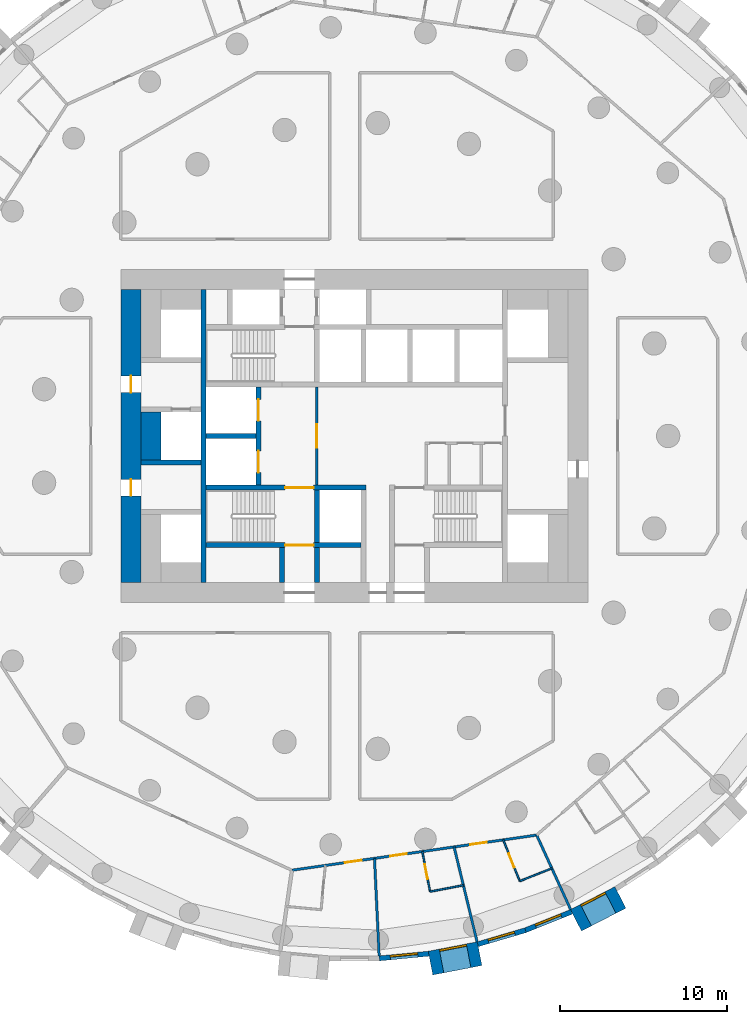
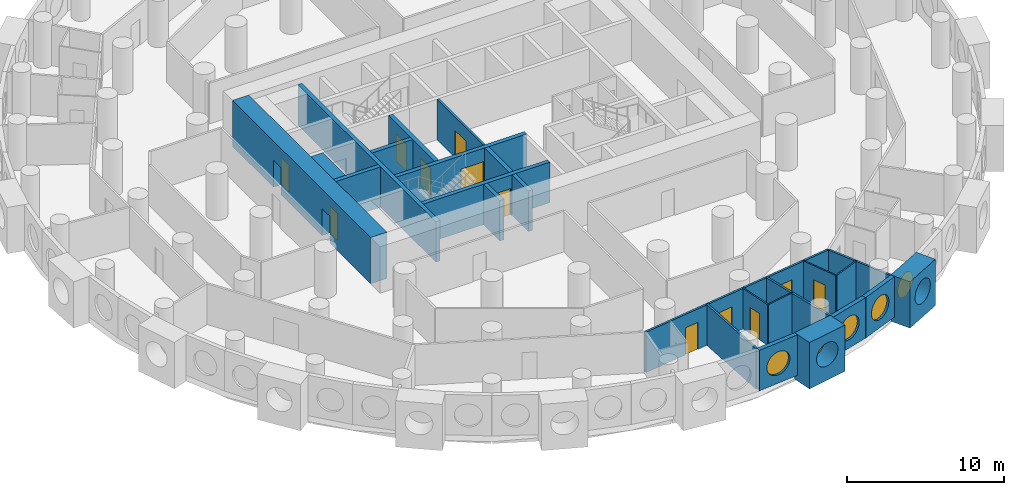
# One storey, part 4 of 11: 25 walls, 12 doors, 5 windows, 17 openings.
"""IFC4 building model written with IfcOpenShell, lengths in metres."""

from ifc_helpers import new_model, si_unit, direction, frame, frame_2d, origin, origin_2d, place, context, subcontext, project, spatial, rectangle, circle, extrude, material, layer, layer_set, type_object, element, fill, save


model = new_model("IFC4")

# Units and contexts
model_context = context("Model", 3, precision=1e-05, world=origin(), true_north=direction((0.0, 1.0)))
body_context = subcontext(model_context, "Body", "Model", "MODEL_VIEW")
ifc_project = project(units=[si_unit("LENGTHUNIT", "METRE"), si_unit("AREAUNIT", "SQUARE_METRE"), si_unit("VOLUMEUNIT", "CUBIC_METRE"), si_unit("PLANEANGLEUNIT", "RADIAN"), si_unit("MASSUNIT", "GRAM", prefix="KILO")], contexts=[model_context])

# Site, building, storey
site_placement = place(None, origin())
site = spatial("IfcSite", under=ifc_project, at=site_placement, CompositionType="ELEMENT")
building_placement = place(site_placement, origin())
building = spatial("IfcBuilding", under=site, at=building_placement, Name="Tracery Tower", CompositionType="ELEMENT")
storey_placement = place(building_placement, frame((0.0, 0.0, 93.0)))
storey = spatial("IfcBuildingStorey", under=building, at=storey_placement, Name="L23", CompositionType="ELEMENT", Elevation=93.0)

# Wall, opening, door
ifc_material_1 = material(Name="Plasterboard on steel studs", Category="steel")
ifc_layer_1 = layer(ifc_material_1, 0.14990234375)
ifc_layer_set_1 = layer_set([ifc_layer_1], Name="Core lobby partition 150")
wall_type_1 = type_object("IfcWallType", Name="Core lobby partition 150", PredefinedType="SOLIDWALL", material=ifc_layer_set_1)
wall_1_placement = place(storey_placement, frame((-2.25, -2.949951171875, 0.0), z_axis=(0.0, 0.0, 1.0), x_axis=(0.0, 1.0, 0.0)))
wall_1 = element("IfcWall", 1, at=wall_1_placement, inside=storey, type_object=wall_type_1, Name="L23 FF lobby E", PredefinedType="SOLIDWALL", context=body_context, shape_type="SweptSolid", body=[
    extrude(rectangle(XDim=5.89990234375, YDim=0.14990234375, at=frame_2d((2.949951171875, 0.0))), origin(), (0.0, 0.0, 1.0), 3.14990234375),
])
opening_1_placement = place(wall_1_placement, frame((2.25, 0.0, 0.0)))
opening_1 = element("IfcOpeningElement", 2, at=opening_1_placement, cuts=wall_1, Name="Opening KD8", PredefinedType="OPENING", context=body_context, shape_type="SweptSolid", body=[
    extrude(rectangle(XDim=1.39990234375, YDim=2.10009765625, at=frame_2d((0.699951171875, 1.050048828125))), frame((0.0, 0.074951171875, 0.0), z_axis=(0.0, -1.0, 0.0), x_axis=(1.0, 0.0, 0.0)), (0.0, 0.0, 1.0), 0.14990234375),
])
ifc_material_2 = material(Name="Steel fire door", Category="steel")
door_type_1 = type_object("IfcDoorType", Name="Core lobby door 1400 double", OperationType="NOTDEFINED", PredefinedType="DOOR", material=ifc_material_2)
door_1_placement = place(opening_1_placement, origin())
door_1 = element("IfcDoor", 3, at=door_1_placement, inside=storey, type_object=door_type_1, Name="Fire-fighting lobby door", OperationType="DOUBLE_DOOR_SINGLE_SWING", OverallHeight=2.10009765625, OverallWidth=1.39990234375, PredefinedType="DOOR", context=body_context, shape_type="SweptSolid", body=[
    extrude(rectangle(XDim=1.39990234375, YDim=2.10009765625, at=frame_2d((0.699951171875, 1.050048828125))), frame((0.0, 0.02490234375, 0.0), z_axis=(0.0, -1.0, 0.0), x_axis=(1.0, 0.0, 0.0)), (0.0, 0.0, 1.0), 0.050048828125),
])
fill(opening_1, door_1)

# Wall
ifc_material_3 = material(Name="Concrete C60/75", Category="concrete")
ifc_layer_2 = layer(ifc_material_3, 1.199951171875)
ifc_layer_set_2 = layer_set([ifc_layer_2], Name="Core strip wall 1200 C60")
wall_type_2 = type_object("IfcWallType", Name="Core strip wall 1200 C60", PredefinedType="SOLIDWALL", material=ifc_layer_set_2)
wall_2_placement = place(storey_placement, frame((-12.199951171875, -1.449951171875, 0.0), z_axis=(0.0, 0.0, 1.0), x_axis=(0.0, 1.0, 0.0)))
element("IfcWall", 4, at=wall_2_placement, inside=storey, type_object=wall_type_2, Name="L23 wing strip -1 -1.6", PredefinedType="SOLIDWALL", context=body_context, shape_type="SweptSolid", body=[
    extrude(rectangle(XDim=2.89990234375, YDim=1.199951171875, at=frame_2d((1.449951171875, 0.0))), origin(), (0.0, 0.0, 1.0), 3.14990234375),
])

# Wall, openings, doors
ifc_material_4 = material(Name="Concrete C60/75", Category="concrete")
ifc_layer_3 = layer(ifc_material_4, 1.199951171875)
ifc_layer_set_3 = layer_set([ifc_layer_3], Name="Core wall 1200 C60")
wall_type_3 = type_object("IfcWallType", Name="Core wall 1200 C60", PredefinedType="SOLIDWALL", material=ifc_layer_set_3)
wall_3_placement = place(storey_placement, frame((-13.39990234375, -8.800048828125, 0.0), z_axis=(0.0, 0.0, 1.0), x_axis=(0.0, 1.0, 0.0)))
wall_3 = element("IfcWall", 5, at=wall_3_placement, inside=storey, type_object=wall_type_3, Name="L23 outer W", PredefinedType="SOLIDWALL", context=body_context, shape_type="SweptSolid", body=[
    extrude(rectangle(XDim=17.60009765625, YDim=1.199951171875, at=frame_2d((8.800048828125, 0.0))), origin(), (0.0, 0.0, 1.0), 3.60009765625),
])
opening_2_placement = place(wall_3_placement, frame((5.199951171875, 0.0, 0.0)))
opening_2 = element("IfcOpeningElement", 6, at=opening_2_placement, cuts=wall_3, Name="Opening KD18", PredefinedType="OPENING", context=body_context, shape_type="SweptSolid", body=[
    extrude(rectangle(XDim=1.0, YDim=2.10009765625, at=frame_2d((0.5, 1.050048828125))), frame((0.0, 0.60009765625, 0.0), z_axis=(0.0, -1.0, 0.0), x_axis=(1.0, 0.0, 0.0)), (0.0, 0.0, 1.0), 1.199951171875),
])
opening_3_placement = place(wall_3_placement, frame((11.39990234375, 0.0, 0.0)))
opening_3 = element("IfcOpeningElement", 7, at=opening_3_placement, cuts=wall_3, Name="Opening KD18", PredefinedType="OPENING", context=body_context, shape_type="SweptSolid", body=[
    extrude(rectangle(XDim=1.0, YDim=2.10009765625, at=frame_2d((0.5, 1.050048828125))), frame((0.0, 0.60009765625, 0.0), z_axis=(0.0, -1.0, 0.0), x_axis=(1.0, 0.0, 0.0)), (0.0, 0.0, 1.0), 1.199951171875),
])
ifc_material_5 = material(Name="Steel fire door", Category="steel")
door_type_2 = type_object("IfcDoorType", Name="Core exit door 1000", OperationType="NOTDEFINED", PredefinedType="DOOR", material=ifc_material_5)
door_2_placement = place(opening_2_placement, origin())
door_2 = element("IfcDoor", 8, at=door_2_placement, inside=storey, type_object=door_type_2, Name="Core exit door", OperationType="DOUBLE_DOOR_SINGLE_SWING", OverallHeight=2.10009765625, OverallWidth=1.0, PredefinedType="DOOR", context=body_context, shape_type="SweptSolid", body=[
    extrude(rectangle(XDim=1.0, YDim=2.10009765625, at=frame_2d((0.5, 1.050048828125))), frame((0.0, 0.02490234375, 0.0), z_axis=(0.0, -1.0, 0.0), x_axis=(1.0, 0.0, 0.0)), (0.0, 0.0, 1.0), 0.050048828125),
])
fill(opening_2, door_2)
door_3_placement = place(opening_3_placement, origin())
door_3 = element("IfcDoor", 9, at=door_3_placement, inside=storey, type_object=door_type_2, Name="Core exit door", OperationType="DOUBLE_DOOR_SINGLE_SWING", OverallHeight=2.10009765625, OverallWidth=1.0, PredefinedType="DOOR", context=body_context, shape_type="SweptSolid", body=[
    extrude(rectangle(XDim=1.0, YDim=2.10009765625, at=frame_2d((0.5, 1.050048828125))), frame((0.0, 0.02490234375, 0.0), z_axis=(0.0, -1.0, 0.0), x_axis=(1.0, 0.0, 0.0)), (0.0, 0.0, 1.0), 0.050048828125),
])
fill(opening_3, door_3)

# Wall, opening, window
ifc_material_6 = material(Name="Precast concrete C50/60", Category="concrete")
ifc_layer_4 = layer(ifc_material_6, 1.449951171875)
ifc_layer_set_4 = layer_set([ifc_layer_4], Name="Deep-set bay unit 3000 x 3600, slab edge 450")
wall_type_4 = type_object("IfcWallType", Name="Deep-set bay unit 3000 x 3600, slab edge 450", PredefinedType="ELEMENTEDWALL", material=ifc_layer_set_4)
wall_4_placement = place(storey_placement, frame((4.56689453125, -31.62109375, -0.449951171875), z_axis=(0.0, 0.0, 1.0), x_axis=(0.981921602273, 0.189288052949, 0.0)))
wall_4 = element("IfcWall", 10, at=wall_4_placement, inside=storey, type_object=wall_type_4, Name="Deep-set bay unit 52 at L23", PredefinedType="ELEMENTEDWALL", context=body_context, shape_type="SweptSolid", body=[
    extrude(rectangle(XDim=3.0, YDim=1.449951171875, at=frame_2d((1.5, 0.0))), origin(), (0.0, 0.0, 1.0), 3.599853515625),
])
opening_4_placement = place(wall_4_placement, frame((1.5, 0.0, 2.0)))
opening_4 = element("IfcOpeningElement", 11, at=opening_4_placement, cuts=wall_4, Name="Opening WN1", PredefinedType="OPENING", context=body_context, shape_type="SweptSolid", body=[
    extrude(circle(Radius=0.9000244140625, at=origin_2d()), frame((0.0, 0.73486328125, 0.0), z_axis=(0.0, -1.0, 0.0), x_axis=(1.0, 0.0, 0.0)), (0.0, 0.0, 1.0), 1.469970703125),
])
ifc_material_7 = material(Name="Aluminium frame with tinted double glazing", Category="aluminium")
window_type = type_object("IfcWindowType", Name="Round window 1800", PartitioningType="SINGLE_PANEL", PredefinedType="WINDOW", material=ifc_material_7)
window_1_placement = place(opening_4_placement, origin())
window_1 = element("IfcWindow", 12, at=window_1_placement, inside=storey, type_object=window_type, Name="Round window 52 at L23", OverallHeight=1.800048828125, OverallWidth=1.800048828125, PartitioningType="SINGLE_PANEL", PredefinedType="WINDOW", context=body_context, shape_type="SweptSolid", body=[
    extrude(circle(Radius=0.9000244140625, at=origin_2d()), frame((0.0, 0.69482421875, 0.0), z_axis=(0.0, -1.0, 0.0), x_axis=(1.0, 0.0, 0.0)), (0.0, 0.0, 1.0), 0.10009765625),
])
fill(opening_4, window_1)

wall_5_placement = place(storey_placement, frame((13.29052734375, -29.053466796875, -0.449951171875), z_axis=(0.0, 0.0, 1.0), x_axis=(0.888858064689, 0.458182650083, 0.0)))
wall_5 = element("IfcWall", 13, at=wall_5_placement, inside=storey, type_object=wall_type_4, Name="Deep-set bay unit 55 at L23", PredefinedType="ELEMENTEDWALL", context=body_context, shape_type="SweptSolid", body=[
    extrude(rectangle(XDim=3.0, YDim=1.449951171875, at=frame_2d((1.5, 0.0))), origin(), (0.0, 0.0, 1.0), 3.599853515625),
])
opening_5_placement = place(wall_5_placement, frame((1.5, 0.0, 2.0)))
opening_5 = element("IfcOpeningElement", 14, at=opening_5_placement, cuts=wall_5, Name="Opening WN1", PredefinedType="OPENING", context=body_context, shape_type="SweptSolid", body=[
    extrude(circle(Radius=0.9000244140625, at=origin_2d()), frame((0.0, 0.73486328125, 0.0), z_axis=(0.0, -1.0, 0.0), x_axis=(1.0, 0.0, 0.0)), (0.0, 0.0, 1.0), 1.469970703125),
])
window_2_placement = place(opening_5_placement, origin())
window_2 = element("IfcWindow", 15, at=window_2_placement, inside=storey, type_object=window_type, Name="Round window 55 at L23", OverallHeight=1.800048828125, OverallWidth=1.800048828125, PartitioningType="SINGLE_PANEL", PredefinedType="WINDOW", context=body_context, shape_type="SweptSolid", body=[
    extrude(circle(Radius=0.9000244140625, at=origin_2d()), frame((0.0, 0.69482421875, 0.0), z_axis=(0.0, -1.0, 0.0), x_axis=(1.0, 0.0, 0.0)), (0.0, 0.0, 1.0), 0.10009765625),
])
fill(opening_5, window_2)

ifc_material_8 = material(Name="Precast concrete C50/60", Category="concrete")
ifc_layer_5 = layer(ifc_material_8, 0.300048828125)
ifc_layer_set_5 = layer_set([ifc_layer_5], Name="Facade panel 3000 x 3150")
wall_type_5 = type_object("IfcWallType", Name="Facade panel 3000 x 3150", PredefinedType="SOLIDWALL", material=ifc_layer_set_5)
wall_6_placement = place(storey_placement, frame((1.492919921875, -31.3388671875, 0.0), z_axis=(0.0, 0.0, 1.0), x_axis=(0.995472611385, 0.095048829468, 0.0)))
wall_6 = element("IfcWall", 16, at=wall_6_placement, inside=storey, type_object=wall_type_5, Name="Facade panel 51 at L23", PredefinedType="SOLIDWALL", context=body_context, shape_type="SweptSolid", body=[
    extrude(rectangle(XDim=2.9794921875, YDim=0.300048828125, at=frame_2d((1.48974609375, 0.0))), origin(), (0.0, 0.0, 1.0), 3.14990234375),
])
opening_6_placement = place(wall_6_placement, frame((1.48974609375, 0.0, 1.5498046875)))
opening_6 = element("IfcOpeningElement", 17, at=opening_6_placement, cuts=wall_6, Name="Opening WN1", PredefinedType="OPENING", context=body_context, shape_type="SweptSolid", body=[
    extrude(circle(Radius=0.9000244140625, at=origin_2d()), frame((0.0, 0.159912109375, 0.0), z_axis=(0.0, -1.0, 0.0), x_axis=(1.0, 0.0, 0.0)), (0.0, 0.0, 1.0), 0.320068359375),
])
window_3_placement = place(opening_6_placement, origin())
window_3 = element("IfcWindow", 18, at=window_3_placement, inside=storey, type_object=window_type, Name="Round window 51 at L23", OverallHeight=1.800048828125, OverallWidth=1.800048828125, PartitioningType="SINGLE_PANEL", PredefinedType="WINDOW", context=body_context, shape_type="SweptSolid", body=[
    extrude(circle(Radius=0.9000244140625, at=origin_2d()), frame((0.0, 0.1201171875, 0.0), z_axis=(0.0, -1.0, 0.0), x_axis=(1.0, 0.0, 0.0)), (0.0, 0.0, 1.0), 0.10009765625),
])
fill(opening_6, window_3)

wall_7_placement = place(storey_placement, frame((7.402587890625, -30.48828125, 0.0), z_axis=(0.0, 0.0, 1.0), x_axis=(0.959501085144, 0.281704930036, 0.0)))
wall_7 = element("IfcWall", 19, at=wall_7_placement, inside=storey, type_object=wall_type_5, Name="Facade panel 53 at L23", PredefinedType="SOLIDWALL", context=body_context, shape_type="SweptSolid", body=[
    extrude(rectangle(XDim=2.9794921875, YDim=0.300048828125, at=frame_2d((1.48974609375, 0.0))), origin(), (0.0, 0.0, 1.0), 3.14990234375),
])
opening_7_placement = place(wall_7_placement, frame((1.48974609375, 0.0, 1.5498046875)))
opening_7 = element("IfcOpeningElement", 20, at=opening_7_placement, cuts=wall_7, Name="Opening WN1", PredefinedType="OPENING", context=body_context, shape_type="SweptSolid", body=[
    extrude(circle(Radius=0.9000244140625, at=origin_2d()), frame((0.0, 0.159912109375, 0.0), z_axis=(0.0, -1.0, 0.0), x_axis=(1.0, 0.0, 0.0)), (0.0, 0.0, 1.0), 0.320068359375),
])
window_4_placement = place(opening_7_placement, origin())
window_4 = element("IfcWindow", 21, at=window_4_placement, inside=storey, type_object=window_type, Name="Round window 53 at L23", OverallHeight=1.800048828125, OverallWidth=1.800048828125, PartitioningType="SINGLE_PANEL", PredefinedType="WINDOW", context=body_context, shape_type="SweptSolid", body=[
    extrude(circle(Radius=0.9000244140625, at=origin_2d()), frame((0.0, 0.1201171875, 0.0), z_axis=(0.0, -1.0, 0.0), x_axis=(1.0, 0.0, 0.0)), (0.0, 0.0, 1.0), 0.10009765625),
])
fill(opening_7, window_4)

wall_8_placement = place(storey_placement, frame((10.261474609375, -29.64892578125, 0.0), z_axis=(0.0, 0.0, 1.0), x_axis=(0.928374947, 0.371644935098, 0.0)))
wall_8 = element("IfcWall", 22, at=wall_8_placement, inside=storey, type_object=wall_type_5, Name="Facade panel 54 at L23", PredefinedType="SOLIDWALL", context=body_context, shape_type="SweptSolid", body=[
    extrude(rectangle(XDim=2.979736328125, YDim=0.300048828125, at=frame_2d((1.48974609375, 0.0))), origin(), (0.0, 0.0, 1.0), 3.14990234375),
])
opening_8_placement = place(wall_8_placement, frame((1.48974609375, 0.0, 1.5498046875)))
opening_8 = element("IfcOpeningElement", 23, at=opening_8_placement, cuts=wall_8, Name="Opening WN1", PredefinedType="OPENING", context=body_context, shape_type="SweptSolid", body=[
    extrude(circle(Radius=0.9000244140625, at=origin_2d()), frame((0.0, 0.159912109375, 0.0), z_axis=(0.0, -1.0, 0.0), x_axis=(1.0, 0.0, 0.0)), (0.0, 0.0, 1.0), 0.320068359375),
])
window_5_placement = place(opening_8_placement, origin())
window_5 = element("IfcWindow", 24, at=window_5_placement, inside=storey, type_object=window_type, Name="Round window 54 at L23", OverallHeight=1.800048828125, OverallWidth=1.800048828125, PartitioningType="SINGLE_PANEL", PredefinedType="WINDOW", context=body_context, shape_type="SweptSolid", body=[
    extrude(circle(Radius=0.9000244140625, at=origin_2d()), frame((0.0, 0.1201171875, 0.0), z_axis=(0.0, -1.0, 0.0), x_axis=(1.0, 0.0, 0.0)), (0.0, 0.0, 1.0), 0.10009765625),
])
fill(opening_8, window_5)

# Wall, opening, door
ifc_material_9 = material(Name="Plasterboard on steel studs", Category="steel")
ifc_layer_6 = layer(ifc_material_9, 0.10009765625)
ifc_layer_set_6 = layer_set([ifc_layer_6], Name="Partition 100 wet wall")
wall_type_6 = type_object("IfcWallType", Name="Partition 100 wet wall", PredefinedType="PARTITIONING", material=ifc_layer_set_6)
wall_9_placement = place(storey_placement, frame((4.076904296875, -24.926025390625, 0.0), z_axis=(0.0, 0.0, 1.0), x_axis=(0.18925724964, -0.981927539821, 0.0)))
wall_9 = element("IfcWall", 25, at=wall_9_placement, inside=storey, type_object=wall_type_6, Name="Wet wall RA7-076", PredefinedType="PARTITIONING", context=body_context, shape_type="SweptSolid", body=[
    extrude(rectangle(XDim=2.452392578125, YDim=0.10009765625, at=frame_2d((1.22607421875, 0.0))), origin(), (0.0, 0.0, 1.0), 3.14990234375),
])
opening_9_placement = place(wall_9_placement, frame((0.77587890625, 0.0, 0.0)))
opening_9 = element("IfcOpeningElement", 26, at=opening_9_placement, cuts=wall_9, Name="Opening RA7-29", PredefinedType="OPENING", context=body_context, shape_type="SweptSolid", body=[
    extrude(rectangle(XDim=0.89990234375, YDim=2.0400390625, at=frame_2d((0.449951171875, 1.02001953125))), frame((0.0, 0.050048828125, 0.0), z_axis=(0.0, -1.0, 0.0), x_axis=(1.0, 0.0, 0.0)), (0.0, 0.0, 1.0), 0.10009765625),
])
ifc_material_10 = material(Name="Timber door leaf", Category="wood")
door_type_3 = type_object("IfcDoorType", Name="Door en-suite 900", OperationType="NOTDEFINED", PredefinedType="DOOR", material=ifc_material_10)
door_4_placement = place(opening_9_placement, origin())
door_4 = element("IfcDoor", 27, at=door_4_placement, inside=storey, type_object=door_type_3, Name="En-suite door RA7-29", OperationType="SINGLE_SWING_LEFT", OverallHeight=2.0400390625, OverallWidth=0.89990234375, PredefinedType="DOOR", context=body_context, shape_type="SweptSolid", body=[
    extrude(rectangle(XDim=0.89990234375, YDim=2.0400390625, at=frame_2d((0.449951171875, 1.02001953125))), frame((0.0, 0.02490234375, 0.0), z_axis=(0.0, -1.0, 0.0), x_axis=(1.0, 0.0, 0.0)), (0.0, 0.0, 1.0), 0.050048828125),
])
fill(opening_9, door_4)

# Wall
wall_10_placement = place(storey_placement, frame((4.541015625, -27.333984375, 0.0), z_axis=(0.0, 0.0, 1.0), x_axis=(0.981919009751, 0.189301501024, 0.0)))
element("IfcWall", 28, at=wall_10_placement, inside=storey, type_object=wall_type_6, Name="Wet wall RA7-077", PredefinedType="PARTITIONING", context=body_context, shape_type="SweptSolid", body=[
    extrude(rectangle(XDim=2.033935546875, YDim=0.10009765625, at=frame_2d((1.01708984375, 0.0))), origin(), (0.0, 0.0, 1.0), 3.14990234375),
])

# Wall, opening, door
wall_11_placement = place(storey_placement, frame((8.929931640625, -24.22802734375, 0.0), z_axis=(0.0, 0.0, 1.0), x_axis=(0.371564281805, -0.928407229876, 0.0)))
wall_11 = element("IfcWall", 29, at=wall_11_placement, inside=storey, type_object=wall_type_6, Name="Wet wall RA7-079", PredefinedType="PARTITIONING", context=body_context, shape_type="SweptSolid", body=[
    extrude(rectangle(XDim=2.6669921875, YDim=0.10009765625, at=frame_2d((1.33349609375, 0.0))), origin(), (0.0, 0.0, 1.0), 3.14990234375),
])
opening_10_placement = place(wall_11_placement, frame((0.883056640625, 0.0, 0.0)))
opening_10 = element("IfcOpeningElement", 30, at=opening_10_placement, cuts=wall_11, Name="Opening RA7-31", PredefinedType="OPENING", context=body_context, shape_type="SweptSolid", body=[
    extrude(rectangle(XDim=0.89990234375, YDim=2.0400390625, at=frame_2d((0.449951171875, 1.02001953125))), frame((0.0, 0.050048828125, 0.0), z_axis=(0.0, -1.0, 0.0), x_axis=(1.0, 0.0, 0.0)), (0.0, 0.0, 1.0), 0.10009765625),
])
door_5_placement = place(opening_10_placement, origin())
door_5 = element("IfcDoor", 31, at=door_5_placement, inside=storey, type_object=door_type_3, Name="En-suite door RA7-31", OperationType="SINGLE_SWING_LEFT", OverallHeight=2.0400390625, OverallWidth=0.89990234375, PredefinedType="DOOR", context=body_context, shape_type="SweptSolid", body=[
    extrude(rectangle(XDim=0.89990234375, YDim=2.0400390625, at=frame_2d((0.449951171875, 1.02001953125))), frame((0.0, 0.02490234375, 0.0), z_axis=(0.0, -1.0, 0.0), x_axis=(1.0, 0.0, 0.0)), (0.0, 0.0, 1.0), 0.050048828125),
])
fill(opening_10, door_5)

# Walls
wall_12_placement = place(storey_placement, frame((9.9208984375, -26.7041015625, 0.0), z_axis=(0.0, 0.0, 1.0), x_axis=(0.928346586681, 0.37171577179, 0.0)))
element("IfcWall", 32, at=wall_12_placement, inside=storey, type_object=wall_type_6, Name="Wet wall RA7-080", PredefinedType="PARTITIONING", context=body_context, shape_type="SweptSolid", body=[
    extrude(rectangle(XDim=2.071533203125, YDim=0.10009765625, at=frame_2d((1.03564453125, 0.0))), origin(), (0.0, 0.0, 1.0), 3.14990234375),
])
ifc_material_11 = material(Name="Plasterboard on steel studs", Category="steel")
ifc_layer_7 = layer(ifc_material_11, 0.14990234375)
ifc_layer_set_7 = layer_set([ifc_layer_7], Name="Partition 150 acoustic unit wall")
wall_type_7 = type_object("IfcWallType", Name="Partition 150 acoustic unit wall", PredefinedType="PARTITIONING", material=ifc_layer_set_7)
wall_13_placement = place(storey_placement, frame((1.20703125, -25.339111328125, 0.0), z_axis=(0.0, 0.0, 1.0), x_axis=(0.047648334785, -0.998864173045, 0.0)))
element("IfcWall", 33, at=wall_13_placement, inside=storey, type_object=wall_type_7, Name="Unit wall RA7-075", PredefinedType="PARTITIONING", context=body_context, shape_type="SweptSolid", body=[
    extrude(rectangle(XDim=5.8564453125, YDim=0.14990234375, at=frame_2d((2.92822265625, 0.0))), origin(), (0.0, 0.0, 1.0), 3.14990234375),
])
wall_14_placement = place(storey_placement, frame((5.981201171875, -24.652099609375, 0.0), z_axis=(0.0, 0.0, 1.0), x_axis=(0.235604797906, -0.971848948759, 0.0)))
element("IfcWall", 34, at=wall_14_placement, inside=storey, type_object=wall_type_7, Name="Unit wall RA7-078", PredefinedType="PARTITIONING", context=body_context, shape_type="SweptSolid", body=[
    extrude(rectangle(XDim=5.856689453125, YDim=0.14990234375, at=frame_2d((2.92822265625, 0.0))), origin(), (0.0, 0.0, 1.0), 3.14990234375),
])
wall_15_placement = place(storey_placement, frame((10.93359375, -23.939697265625, 0.0), z_axis=(0.0, 0.0, 1.0), x_axis=(0.415245800153, -0.909709253254, 0.0)))
element("IfcWall", 35, at=wall_15_placement, inside=storey, type_object=wall_type_7, Name="Unit wall RA7-081", PredefinedType="PARTITIONING", context=body_context, shape_type="SweptSolid", body=[
    extrude(rectangle(XDim=4.906494140625, YDim=0.14990234375, at=frame_2d((2.453125, 0.0))), origin(), (0.0, 0.0, 1.0), 3.14990234375),
])

# Wall, openings, doors
ifc_material_12 = material(Name="Plasterboard on steel studs", Category="steel")
ifc_layer_8 = layer(ifc_material_12, 0.14990234375)
ifc_layer_set_8 = layer_set([ifc_layer_8], Name="Partition 150 corridor wall")
wall_type_8 = type_object("IfcWallType", Name="Partition 150 corridor wall", PredefinedType="PARTITIONING", material=ifc_layer_set_8)
wall_16_placement = place(storey_placement, frame((-3.74609375, -26.05029296875, 0.0), z_axis=(0.0, 0.0, 1.0), x_axis=(0.98983491963, 0.142221066938, 0.0)))
wall_16 = element("IfcWall", 36, at=wall_16_placement, inside=storey, type_object=wall_type_8, Name="Corridor wall RA7-044", PredefinedType="PARTITIONING", context=body_context, shape_type="SweptSolid", body=[
    extrude(rectangle(XDim=14.829833984375, YDim=0.14990234375, at=frame_2d((7.4150390625, 0.0))), origin(), (0.0, 0.0, 1.0), 3.14990234375),
])
opening_11_placement = place(wall_16_placement, frame((3.214111328125, 0.0, 0.0)))
opening_11 = element("IfcOpeningElement", 37, at=opening_11_placement, cuts=wall_16, Name="Opening RA7-28", PredefinedType="OPENING", context=body_context, shape_type="SweptSolid", body=[
    extrude(rectangle(XDim=1.0, YDim=2.10009765625, at=frame_2d((0.5, 1.050048828125))), frame((0.0, 0.074951171875, 0.0), z_axis=(0.0, -1.0, 0.0), x_axis=(1.0, 0.0, 0.0)), (0.0, 0.0, 1.0), 0.14990234375),
])
opening_12_placement = place(wall_16_placement, frame((5.95361328125, 0.0, 0.0)))
opening_12 = element("IfcOpeningElement", 38, at=opening_12_placement, cuts=wall_16, Name="Opening RA7-30", PredefinedType="OPENING", context=body_context, shape_type="SweptSolid", body=[
    extrude(rectangle(XDim=1.0, YDim=2.10009765625, at=frame_2d((0.5, 1.050048828125))), frame((0.0, 0.074951171875, 0.0), z_axis=(0.0, -1.0, 0.0), x_axis=(1.0, 0.0, 0.0)), (0.0, 0.0, 1.0), 0.14990234375),
])
opening_13_placement = place(wall_16_placement, frame((10.81640625, 0.0, 0.0)))
opening_13 = element("IfcOpeningElement", 39, at=opening_13_placement, cuts=wall_16, Name="Opening RA7-32", PredefinedType="OPENING", context=body_context, shape_type="SweptSolid", body=[
    extrude(rectangle(XDim=1.0, YDim=2.10009765625, at=frame_2d((0.5, 1.050048828125))), frame((0.0, 0.074951171875, 0.0), z_axis=(0.0, -1.0, 0.0), x_axis=(1.0, 0.0, 0.0)), (0.0, 0.0, 1.0), 0.14990234375),
])
ifc_material_13 = material(Name="Timber door leaf", Category="wood")
door_type_4 = type_object("IfcDoorType", Name="Door unit entrance 1000", OperationType="NOTDEFINED", PredefinedType="DOOR", material=ifc_material_13)
door_6_placement = place(opening_11_placement, origin())
door_6 = element("IfcDoor", 40, at=door_6_placement, inside=storey, type_object=door_type_4, Name="Unit entrance door RA7-28", OperationType="SINGLE_SWING_LEFT", OverallHeight=2.10009765625, OverallWidth=1.0, PredefinedType="DOOR", context=body_context, shape_type="SweptSolid", body=[
    extrude(rectangle(XDim=1.0, YDim=2.10009765625, at=frame_2d((0.5, 1.050048828125))), frame((0.0, 0.02490234375, 0.0), z_axis=(0.0, -1.0, 0.0), x_axis=(1.0, 0.0, 0.0)), (0.0, 0.0, 1.0), 0.050048828125),
])
fill(opening_11, door_6)
door_7_placement = place(opening_12_placement, origin())
door_7 = element("IfcDoor", 41, at=door_7_placement, inside=storey, type_object=door_type_4, Name="Unit entrance door RA7-30", OperationType="SINGLE_SWING_RIGHT", OverallHeight=2.10009765625, OverallWidth=1.0, PredefinedType="DOOR", context=body_context, shape_type="SweptSolid", body=[
    extrude(rectangle(XDim=1.0, YDim=2.10009765625, at=frame_2d((0.5, 1.050048828125))), frame((0.0, 0.02490234375, 0.0), z_axis=(0.0, -1.0, 0.0), x_axis=(1.0, 0.0, 0.0)), (0.0, 0.0, 1.0), 0.050048828125),
])
fill(opening_12, door_7)
door_8_placement = place(opening_13_placement, origin())
door_8 = element("IfcDoor", 42, at=door_8_placement, inside=storey, type_object=door_type_4, Name="Unit entrance door RA7-32", OperationType="SINGLE_SWING_RIGHT", OverallHeight=2.10009765625, OverallWidth=1.0, PredefinedType="DOOR", context=body_context, shape_type="SweptSolid", body=[
    extrude(rectangle(XDim=1.0, YDim=2.10009765625, at=frame_2d((0.5, 1.050048828125))), frame((0.0, 0.02490234375, 0.0), z_axis=(0.0, -1.0, 0.0), x_axis=(1.0, 0.0, 0.0)), (0.0, 0.0, 1.0), 0.050048828125),
])
fill(opening_13, door_8)

# Wall
ifc_material_14 = material(Name="Concrete C60/75", Category="concrete")
ifc_layer_9 = layer(ifc_material_14, 0.300048828125)
ifc_layer_set_9 = layer_set([ifc_layer_9], Name="Shaft wall 300 C60")
wall_type_9 = type_object("IfcWallType", Name="Shaft wall 300 C60", PredefinedType="SOLIDWALL", material=ifc_layer_set_9)
wall_17_placement = place(storey_placement, frame((-8.89990234375, 0.0, 0.0), z_axis=(0.0, 0.0, 1.0), x_axis=(1.0, 0.0, 0.0)))
element("IfcWall", 43, at=wall_17_placement, inside=storey, type_object=wall_type_9, Name="L23 FF split", PredefinedType="SOLIDWALL", context=body_context, shape_type="SweptSolid", body=[
    extrude(rectangle(XDim=3.0, YDim=0.300048828125, at=frame_2d((1.5, 0.0))), origin(), (0.0, 0.0, 1.0), 3.14990234375),
])

# Wall, openings, doors
wall_18_placement = place(storey_placement, frame((-5.75, -2.949951171875, 0.0), z_axis=(0.0, 0.0, 1.0), x_axis=(0.0, 1.0, 0.0)))
wall_18 = element("IfcWall", 44, at=wall_18_placement, inside=storey, type_object=wall_type_9, Name="L23 FF doors", PredefinedType="SOLIDWALL", context=body_context, shape_type="SweptSolid", body=[
    extrude(rectangle(XDim=5.89990234375, YDim=0.300048828125, at=frame_2d((2.949951171875, 0.0))), origin(), (0.0, 0.0, 1.0), 3.14990234375),
])
opening_14_placement = place(wall_18_placement, frame((0.75, 0.0, 0.0)))
opening_14 = element("IfcOpeningElement", 45, at=opening_14_placement, cuts=wall_18, Name="Opening KD54", PredefinedType="OPENING", context=body_context, shape_type="SweptSolid", body=[
    extrude(rectangle(XDim=1.300048828125, YDim=2.10009765625, at=frame_2d((0.64990234375, 1.050048828125))), frame((0.0, 0.14990234375, 0.0), z_axis=(0.0, -1.0, 0.0), x_axis=(1.0, 0.0, 0.0)), (0.0, 0.0, 1.0), 0.300048828125),
])
opening_15_placement = place(wall_18_placement, frame((3.85009765625, 0.0, 0.0)))
opening_15 = element("IfcOpeningElement", 46, at=opening_15_placement, cuts=wall_18, Name="Opening KD55", PredefinedType="OPENING", context=body_context, shape_type="SweptSolid", body=[
    extrude(rectangle(XDim=1.300048828125, YDim=2.10009765625, at=frame_2d((0.64990234375, 1.050048828125))), frame((0.0, 0.14990234375, 0.0), z_axis=(0.0, -1.0, 0.0), x_axis=(1.0, 0.0, 0.0)), (0.0, 0.0, 1.0), 0.300048828125),
])
ifc_material_15 = material(Name="Steel fire door", Category="steel")
door_type_5 = type_object("IfcDoorType", Name="Landing door FF 1300", OperationType="NOTDEFINED", PredefinedType="DOOR", material=ifc_material_15)
door_9_placement = place(opening_14_placement, origin())
door_9 = element("IfcDoor", 47, at=door_9_placement, inside=storey, type_object=door_type_5, Name="Landing door FF1", OperationType="SLIDING_TO_LEFT", OverallHeight=2.10009765625, OverallWidth=1.300048828125, PredefinedType="DOOR", context=body_context, shape_type="SweptSolid", body=[
    extrude(rectangle(XDim=1.300048828125, YDim=2.10009765625, at=frame_2d((0.64990234375, 1.050048828125))), frame((0.0, 0.02490234375, 0.0), z_axis=(0.0, -1.0, 0.0), x_axis=(1.0, 0.0, 0.0)), (0.0, 0.0, 1.0), 0.050048828125),
])
fill(opening_14, door_9)
door_10_placement = place(opening_15_placement, origin())
door_10 = element("IfcDoor", 48, at=door_10_placement, inside=storey, type_object=door_type_5, Name="Landing door FF2", OperationType="SLIDING_TO_RIGHT", OverallHeight=2.10009765625, OverallWidth=1.300048828125, PredefinedType="DOOR", context=body_context, shape_type="SweptSolid", body=[
    extrude(rectangle(XDim=1.300048828125, YDim=2.10009765625, at=frame_2d((0.64990234375, 1.050048828125))), frame((0.0, 0.02490234375, 0.0), z_axis=(0.0, -1.0, 0.0), x_axis=(1.0, 0.0, 0.0)), (0.0, 0.0, 1.0), 0.050048828125),
])
fill(opening_15, door_10)

# Walls
wall_19_placement = place(storey_placement, frame((-4.35009765625, -8.800048828125, 0.0), z_axis=(0.0, 0.0, 1.0), x_axis=(0.0, 1.0, 0.0)))
element("IfcWall", 49, at=wall_19_placement, inside=storey, type_object=wall_type_9, Name="L23 band S -4.35", PredefinedType="SOLIDWALL", context=body_context, shape_type="SweptSolid", body=[
    extrude(rectangle(XDim=2.10009765625, YDim=0.300048828125, at=frame_2d((1.050048828125, 0.0))), origin(), (0.0, 0.0, 1.0), 3.14990234375),
])
wall_20_placement = place(storey_placement, frame((-12.800048828125, -1.60009765625, 0.0), z_axis=(0.0, 0.0, 1.0), x_axis=(1.0, 0.0, 0.0)))
element("IfcWall", 50, at=wall_20_placement, inside=storey, type_object=wall_type_9, Name="L23 wing shaft wall -1 -1.60", PredefinedType="SOLIDWALL", context=body_context, shape_type="SweptSolid", body=[
    extrude(rectangle(XDim=3.60009765625, YDim=0.300048828125, at=frame_2d((1.800048828125, 0.0))), origin(), (0.0, 0.0, 1.0), 3.14990234375),
])

# Wall, opening, door
ifc_material_16 = material(Name="Concrete C60/75", Category="concrete")
ifc_layer_10 = layer(ifc_material_16, 0.300048828125)
ifc_layer_set_10 = layer_set([ifc_layer_10], Name="Stair wall 300 C60")
wall_type_10 = type_object("IfcWallType", Name="Stair wall 300 C60", PredefinedType="SOLIDWALL", material=ifc_layer_set_10)
wall_21_placement = place(storey_placement, frame((-8.89990234375, -3.10009765625, 0.0), z_axis=(0.0, 0.0, 1.0), x_axis=(1.0, 0.0, 0.0)))
wall_21 = element("IfcWall", 51, at=wall_21_placement, inside=storey, type_object=wall_type_10, Name="L23 row S", PredefinedType="SOLIDWALL", context=body_context, shape_type="SweptSolid", body=[
    extrude(rectangle(XDim=9.599853515625, YDim=0.300048828125, at=frame_2d((4.7998046875, 0.0))), origin(), (0.0, 0.0, 1.0), 3.14990234375),
])
opening_16_placement = place(wall_21_placement, frame((4.75, 0.0, 0.0)))
opening_16 = element("IfcOpeningElement", 52, at=opening_16_placement, cuts=wall_21, Name="Opening KD3", PredefinedType="OPENING", context=body_context, shape_type="SweptSolid", body=[
    extrude(rectangle(XDim=1.699951171875, YDim=2.10009765625, at=frame_2d((0.85009765625, 1.050048828125))), frame((0.0, 0.14990234375, 0.0), z_axis=(0.0, -1.0, 0.0), x_axis=(1.0, 0.0, 0.0)), (0.0, 0.0, 1.0), 0.300048828125),
])
ifc_material_17 = material(Name="Steel fire door", Category="steel")
door_type_6 = type_object("IfcDoorType", Name="Core stair door 1700 double", OperationType="NOTDEFINED", PredefinedType="DOOR", material=ifc_material_17)
door_11_placement = place(opening_16_placement, origin())
door_11 = element("IfcDoor", 53, at=door_11_placement, inside=storey, type_object=door_type_6, Name="Stair door ST1", OperationType="DOUBLE_DOOR_SINGLE_SWING", OverallHeight=2.10009765625, OverallWidth=1.699951171875, PredefinedType="DOOR", context=body_context, shape_type="SweptSolid", body=[
    extrude(rectangle(XDim=1.699951171875, YDim=2.10009765625, at=frame_2d((0.85009765625, 1.050048828125))), frame((0.0, 0.02490234375, 0.0), z_axis=(0.0, -1.0, 0.0), x_axis=(1.0, 0.0, 0.0)), (0.0, 0.0, 1.0), 0.050048828125),
])
fill(opening_16, door_11)

# Walls
wall_22_placement = place(storey_placement, frame((-2.25, -6.39990234375, 0.0), z_axis=(0.0, 0.0, 1.0), x_axis=(0.0, 1.0, 0.0)))
element("IfcWall", 54, at=wall_22_placement, inside=storey, type_object=wall_type_10, Name="L23 ST1 E", PredefinedType="SOLIDWALL", context=body_context, shape_type="SweptSolid", body=[
    extrude(rectangle(XDim=3.14990234375, YDim=0.300048828125, at=frame_2d((1.574951171875, 0.0))), origin(), (0.0, 0.0, 1.0), 3.14990234375),
])
wall_23_placement = place(storey_placement, frame((-9.050048828125, -8.800048828125, 0.0), z_axis=(0.0, 0.0, 1.0), x_axis=(0.0, 1.0, 0.0)))
element("IfcWall", 55, at=wall_23_placement, inside=storey, type_object=wall_type_10, Name="L23 F wall -9", PredefinedType="SOLIDWALL", context=body_context, shape_type="SweptSolid", body=[
    extrude(rectangle(XDim=17.60009765625, YDim=0.300048828125, at=frame_2d((8.800048828125, 0.0))), origin(), (0.0, 0.0, 1.0), 3.14990234375),
])

# Wall, opening, door
wall_24_placement = place(storey_placement, frame((-8.89990234375, -6.550048828125, 0.0), z_axis=(0.0, 0.0, 1.0), x_axis=(1.0, 0.0, 0.0)))
wall_24 = element("IfcWall", 56, at=wall_24_placement, inside=storey, type_object=wall_type_10, Name="L23 F S W", PredefinedType="SOLIDWALL", context=body_context, shape_type="SweptSolid", body=[
    extrude(rectangle(XDim=9.2998046875, YDim=0.300048828125, at=frame_2d((4.64990234375, 0.0))), origin(), (0.0, 0.0, 1.0), 3.14990234375),
])
opening_17_placement = place(wall_24_placement, frame((4.75, 0.0, 0.0)))
opening_17 = element("IfcOpeningElement", 57, at=opening_17_placement, cuts=wall_24, Name="Opening KD3", PredefinedType="OPENING", context=body_context, shape_type="SweptSolid", body=[
    extrude(rectangle(XDim=1.699951171875, YDim=2.10009765625, at=frame_2d((0.85009765625, 1.050048828125))), frame((0.0, 0.14990234375, 0.0), z_axis=(0.0, -1.0, 0.0), x_axis=(1.0, 0.0, 0.0)), (0.0, 0.0, 1.0), 0.300048828125),
])
door_12_placement = place(opening_17_placement, origin())
door_12 = element("IfcDoor", 58, at=door_12_placement, inside=storey, type_object=door_type_6, Name="Stair door ST1 S", OperationType="DOUBLE_DOOR_SINGLE_SWING", OverallHeight=2.10009765625, OverallWidth=1.699951171875, PredefinedType="DOOR", context=body_context, shape_type="SweptSolid", body=[
    extrude(rectangle(XDim=1.699951171875, YDim=2.10009765625, at=frame_2d((0.85009765625, 1.050048828125))), frame((0.0, 0.02490234375, 0.0), z_axis=(0.0, -1.0, 0.0), x_axis=(1.0, 0.0, 0.0)), (0.0, 0.0, 1.0), 0.050048828125),
])
fill(opening_17, door_12)

# Wall
wall_25_placement = place(storey_placement, frame((-2.25, -8.800048828125, 0.0), z_axis=(0.0, 0.0, 1.0), x_axis=(0.0, 1.0, 0.0)))
element("IfcWall", 59, at=wall_25_placement, inside=storey, type_object=wall_type_10, Name="L23 ST1 E out", PredefinedType="SOLIDWALL", context=body_context, shape_type="SweptSolid", body=[
    extrude(rectangle(XDim=2.10009765625, YDim=0.300048828125, at=frame_2d((1.050048828125, 0.0))), origin(), (0.0, 0.0, 1.0), 3.14990234375),
])

save(model, "model.ifc")
